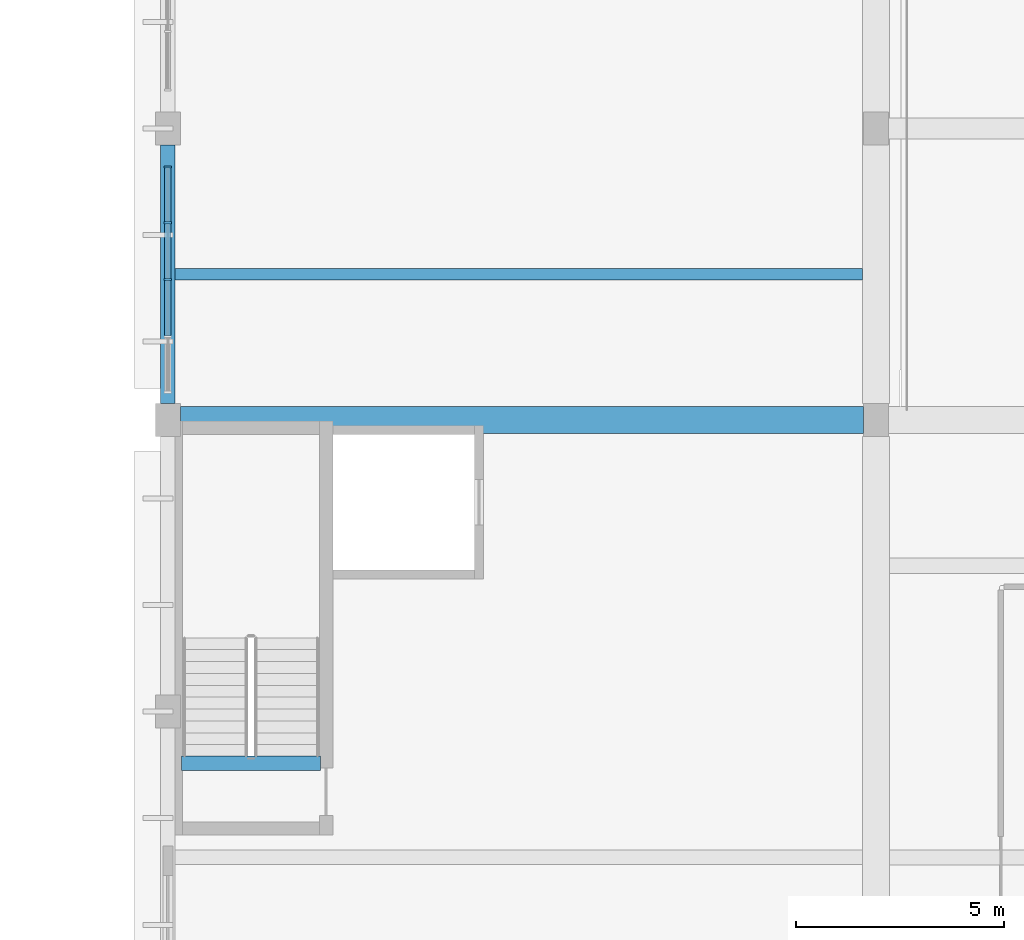
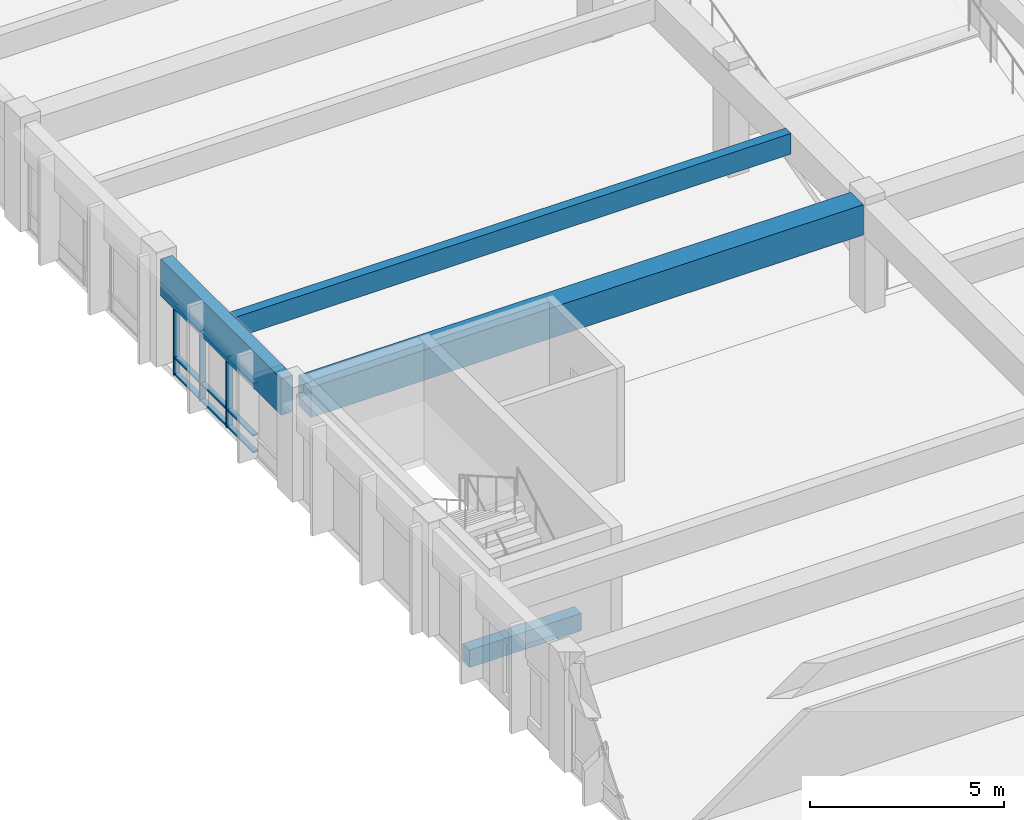
# One storey, part 16 of 155: 12 members, 4 beams, 1 element without a shape of its own.
"""IFC4 building model written with IfcOpenShell, lengths in metres."""

from ifc_helpers import new_model, si_unit, direction, frame, origin, origin_2d, place, context, subcontext, project, spatial, rectangle, extrude, material, material_profile, profile_set, type_object, element, aggregate, save


model = new_model("IFC4")

# Units and contexts
model_context = context("Model", 3, precision=1e-05, world=origin(), true_north=direction((0.0, 1.0)))
body_context = subcontext(model_context, "Body", "Model", "MODEL_VIEW")
ifc_project = project(units=[si_unit("LENGTHUNIT", "METRE"), si_unit("AREAUNIT", "SQUARE_METRE"), si_unit("VOLUMEUNIT", "CUBIC_METRE"), si_unit("PLANEANGLEUNIT", "RADIAN"), si_unit("MASSUNIT", "GRAM", prefix="KILO")], contexts=[model_context])

# Site, building, storey
site_placement = place(None, origin())
site = spatial("IfcSite", under=ifc_project, at=site_placement, CompositionType="ELEMENT")
building_placement = place(site_placement, origin())
building = spatial("IfcBuilding", under=site, at=building_placement, Name="Larkveld Mobility Hub", CompositionType="ELEMENT")
storey_placement = place(building_placement, frame((0.0, 0.0, 8.39990234375)))
storey = spatial("IfcBuildingStorey", under=building, at=storey_placement, Name="L02", CompositionType="ELEMENT", Elevation=8.39990234375)

# Beams
ifc_material_1 = material(Name="Precast concrete C50/60", Category="concrete")
ifc_material_profile_1 = material_profile(ifc_material_1, rectangle(XDim=0.280029296875, YDim=0.64990234375, at=origin_2d()), Name="PC DT 280x650")
ifc_profile_set_1 = profile_set([ifc_material_profile_1], Name="Precast concrete C50/60")
beam_type_1 = type_object("IfcBeamType", Name="BM-DT2865", PredefinedType="T_BEAM", material=ifc_profile_set_1)
beam_1_placement = place(storey_placement, frame((112.169921875, 59.5, 3.045166015625), z_axis=(1.0, 0.0, 0.0), x_axis=(0.0, 1.0, 0.0)))
element("IfcBeam", 1, at=beam_1_placement, inside=storey, type_object=beam_type_1, Name="Precast Double-Tee Stem L02-1089", PredefinedType="T_BEAM", context=body_context, shape_type="SweptSolid", body=[
    extrude(rectangle(XDim=0.280029296875, YDim=0.64990234375, at=origin_2d()), origin(), (0.0, 0.0, 1.0), 16.510009765625),
])
ifc_material_profile_2 = material_profile(ifc_material_1, rectangle(XDim=0.64990234375, YDim=0.949951171875, at=origin_2d()), Name="PC ITB 650x950")
ifc_profile_set_2 = profile_set([ifc_material_profile_2], Name="Precast concrete C50/60")
beam_type_2 = type_object("IfcBeamType", Name="BM-ITB6595", PredefinedType="T_BEAM", material=ifc_profile_set_2)
beam_2_placement = place(storey_placement, frame((112.300048828125, 56.0, 2.885009765625), z_axis=(1.0, 0.0, 0.0), x_axis=(0.0, 1.0, 0.0)))
element("IfcBeam", 2, at=beam_2_placement, inside=storey, type_object=beam_type_2, Name="Primary E-W Girder L02-0516", PredefinedType="T_BEAM", context=body_context, shape_type="SweptSolid", body=[
    extrude(rectangle(XDim=0.64990234375, YDim=0.949951171875, at=origin_2d()), origin(), (0.0, 0.0, 1.0), 16.39990234375),
])
ifc_material_2 = material(Name="Concrete C40/50", Category="concrete")
ifc_material_profile_3 = material_profile(ifc_material_2, rectangle(XDim=0.35009765625, YDim=0.550048828125, at=origin_2d()), Name="RC BM 350x550")
ifc_profile_set_3 = profile_set([ifc_material_profile_3], Name="Concrete C40/50")
beam_type_3 = type_object("IfcBeamType", Name="BM-RC3555", PredefinedType="BEAM", material=ifc_profile_set_3)
beam_3_placement = place(storey_placement, frame((112.330078125, 47.760009765625, -0.27001953125), z_axis=(1.0, 0.0, 0.0), x_axis=(0.0, 1.0, 0.0)))
element("IfcBeam", 3, at=beam_3_placement, inside=storey, type_object=beam_type_3, Name="Core C3 Stair Header Beam L02", PredefinedType="BEAM", context=body_context, shape_type="SweptSolid", body=[
    extrude(rectangle(XDim=0.35009765625, YDim=0.550048828125, at=origin_2d()), origin(), (0.0, 0.0, 1.0), 3.329833984375),
])
ifc_material_profile_4 = material_profile(ifc_material_1, rectangle(XDim=0.35009765625, YDim=1.14990234375, at=origin_2d()), Name="PC SP 350x1150")
ifc_profile_set_4 = profile_set([ifc_material_profile_4], Name="Precast concrete C50/60")
beam_type_4 = type_object("IfcBeamType", Name="BM-SP35115", PredefinedType="SPANDREL", material=ifc_profile_set_4)
beam_4_placement = place(storey_placement, frame((112.0, 56.39990234375, 2.78515625), z_axis=(0.0, 1.0, 0.0), x_axis=(-1.0, 0.0, 0.0)))
element("IfcBeam", 4, at=beam_4_placement, inside=storey, type_object=beam_type_4, Name="Primary N-S Girder L02-0630", PredefinedType="SPANDREL", context=body_context, shape_type="SweptSolid", body=[
    extrude(rectangle(XDim=0.35009765625, YDim=1.14990234375, at=origin_2d()), origin(), (0.0, 0.0, 1.0), 6.2001953125),
])

# Curtain wall, members
ifc_material_3 = material(Name="Anodised aluminium 6063-T6", Category="aluminium")
curtain_wall_type = type_object("IfcCurtainWallType", Name="CW-SYS-06", PredefinedType="NOTDEFINED", material=ifc_material_3)
curtain_wall_placement = place(storey_placement, origin())
curtain_wall = element("IfcCurtainWall", 5, at=curtain_wall_placement, inside=storey, type_object=curtain_wall_type, Name="EV Wing West Glazing L02 CW-138", PredefinedType="NOTDEFINED")
ifc_material_profile_5 = material_profile(ifc_material_3, rectangle(XDim=0.050048828125, YDim=0.179931640625, at=origin_2d()), Name="ALU MULL 50x180")
ifc_profile_set_5 = profile_set([ifc_material_profile_5], Name="Anodised aluminium 6063-T6")
member_type_1 = type_object("IfcMemberType", Name="CW-MUL-02", PredefinedType="MULLION", material=ifc_profile_set_5)
member_1_placement = place(storey_placement, frame((112.0, 62.074951171875, -0.001953125), z_axis=(0.0, 0.0, 1.0), x_axis=(0.0, -1.0, 0.0)))
member_1 = element("IfcMember", 6, at=member_1_placement, type_object=member_type_1, Name="CW06 mullion 1", PredefinedType="MULLION", context=body_context, shape_type="SweptSolid", body=[
    extrude(rectangle(XDim=0.050048828125, YDim=0.179931640625, at=origin_2d()), origin(), (0.0, 0.0, 1.0), 2.212158203125),
])
member_2_placement = place(storey_placement, frame((112.0, 60.735107421875, -0.001953125), z_axis=(0.0, 0.0, 1.0), x_axis=(0.0, -1.0, 0.0)))
member_2 = element("IfcMember", 7, at=member_2_placement, type_object=member_type_1, Name="CW06 mullion 2", PredefinedType="MULLION", context=body_context, shape_type="SweptSolid", body=[
    extrude(rectangle(XDim=0.050048828125, YDim=0.179931640625, at=origin_2d()), origin(), (0.0, 0.0, 1.0), 2.212158203125),
])
member_3_placement = place(storey_placement, frame((112.0, 59.3701171875, -0.001953125), z_axis=(0.0, 0.0, 1.0), x_axis=(0.0, -1.0, 0.0)))
member_3 = element("IfcMember", 8, at=member_3_placement, type_object=member_type_1, Name="CW06 mullion 3", PredefinedType="MULLION", context=body_context, shape_type="SweptSolid", body=[
    extrude(rectangle(XDim=0.050048828125, YDim=0.179931640625, at=origin_2d()), origin(), (0.0, 0.0, 1.0), 2.212158203125),
])
ifc_material_profile_6 = material_profile(ifc_material_3, rectangle(XDim=0.14990234375, YDim=0.050048828125, at=origin_2d()), Name="ALU TRAN 50x150")
ifc_profile_set_6 = profile_set([ifc_material_profile_6], Name="Anodised aluminium 6063-T6")
member_type_2 = type_object("IfcMemberType", Name="CW-TRN-02", PredefinedType="USERDEFINED", material=ifc_profile_set_6)
member_4_placement = place(storey_placement, frame((112.0, 62.06494140625, 0.030029296875), z_axis=(0.0, -1.0, 0.0), x_axis=(1.0, 0.0, 0.0)))
member_4 = element("IfcMember", 9, at=member_4_placement, type_object=member_type_2, Name="CW06 transom 1.1", ObjectType="TRANSOM", PredefinedType="USERDEFINED", context=body_context, shape_type="SweptSolid", body=[
    extrude(rectangle(XDim=0.14990234375, YDim=0.050048828125, at=origin_2d()), origin(), (0.0, 0.0, 1.0), 1.31494140625),
])
member_5_placement = place(storey_placement, frame((112.0, 62.06494140625, 0.552001953125), z_axis=(0.0, -1.0, 0.0), x_axis=(1.0, 0.0, 0.0)))
member_5 = element("IfcMember", 10, at=member_5_placement, type_object=member_type_2, Name="CW06 transom 1.2", ObjectType="TRANSOM", PredefinedType="USERDEFINED", context=body_context, shape_type="SweptSolid", body=[
    extrude(rectangle(XDim=0.14990234375, YDim=0.050048828125, at=origin_2d()), origin(), (0.0, 0.0, 1.0), 1.31494140625),
])
member_6_placement = place(storey_placement, frame((112.0, 62.06494140625, 2.177978515625), z_axis=(0.0, -1.0, 0.0), x_axis=(1.0, 0.0, 0.0)))
member_6 = element("IfcMember", 11, at=member_6_placement, type_object=member_type_2, Name="CW06 transom 1.3", ObjectType="TRANSOM", PredefinedType="USERDEFINED", context=body_context, shape_type="SweptSolid", body=[
    extrude(rectangle(XDim=0.14990234375, YDim=0.050048828125, at=origin_2d()), origin(), (0.0, 0.0, 1.0), 1.31494140625),
])
member_7_placement = place(storey_placement, frame((112.0, 60.719970703125, 0.030029296875), z_axis=(0.0, -1.0, 0.0), x_axis=(1.0, 0.0, 0.0)))
member_7 = element("IfcMember", 12, at=member_7_placement, type_object=member_type_2, Name="CW06 transom 2.1", ObjectType="TRANSOM", PredefinedType="USERDEFINED", context=body_context, shape_type="SweptSolid", body=[
    extrude(rectangle(XDim=0.14990234375, YDim=0.050048828125, at=origin_2d()), origin(), (0.0, 0.0, 1.0), 1.3349609375),
])
member_8_placement = place(storey_placement, frame((112.0, 60.719970703125, 0.552001953125), z_axis=(0.0, -1.0, 0.0), x_axis=(1.0, 0.0, 0.0)))
member_8 = element("IfcMember", 13, at=member_8_placement, type_object=member_type_2, Name="CW06 transom 2.2", ObjectType="TRANSOM", PredefinedType="USERDEFINED", context=body_context, shape_type="SweptSolid", body=[
    extrude(rectangle(XDim=0.14990234375, YDim=0.050048828125, at=origin_2d()), origin(), (0.0, 0.0, 1.0), 1.3349609375),
])
member_9_placement = place(storey_placement, frame((112.0, 60.719970703125, 2.177978515625), z_axis=(0.0, -1.0, 0.0), x_axis=(1.0, 0.0, 0.0)))
member_9 = element("IfcMember", 14, at=member_9_placement, type_object=member_type_2, Name="CW06 transom 2.3", ObjectType="TRANSOM", PredefinedType="USERDEFINED", context=body_context, shape_type="SweptSolid", body=[
    extrude(rectangle(XDim=0.14990234375, YDim=0.050048828125, at=origin_2d()), origin(), (0.0, 0.0, 1.0), 1.3349609375),
])
member_10_placement = place(storey_placement, frame((112.0, 59.35498046875, 0.030029296875), z_axis=(0.0, -1.0, 0.0), x_axis=(1.0, 0.0, 0.0)))
member_10 = element("IfcMember", 15, at=member_10_placement, type_object=member_type_2, Name="CW06 transom 3.1", ObjectType="TRANSOM", PredefinedType="USERDEFINED", context=body_context, shape_type="SweptSolid", body=[
    extrude(rectangle(XDim=0.14990234375, YDim=0.050048828125, at=origin_2d()), origin(), (0.0, 0.0, 1.0), 1.3349609375),
])
member_11_placement = place(storey_placement, frame((112.0, 59.35498046875, 0.552001953125), z_axis=(0.0, -1.0, 0.0), x_axis=(1.0, 0.0, 0.0)))
member_11 = element("IfcMember", 16, at=member_11_placement, type_object=member_type_2, Name="CW06 transom 3.2", ObjectType="TRANSOM", PredefinedType="USERDEFINED", context=body_context, shape_type="SweptSolid", body=[
    extrude(rectangle(XDim=0.14990234375, YDim=0.050048828125, at=origin_2d()), origin(), (0.0, 0.0, 1.0), 1.3349609375),
])
member_12_placement = place(storey_placement, frame((112.0, 59.35498046875, 2.177978515625), z_axis=(0.0, -1.0, 0.0), x_axis=(1.0, 0.0, 0.0)))
member_12 = element("IfcMember", 17, at=member_12_placement, type_object=member_type_2, Name="CW06 transom 3.3", ObjectType="TRANSOM", PredefinedType="USERDEFINED", context=body_context, shape_type="SweptSolid", body=[
    extrude(rectangle(XDim=0.14990234375, YDim=0.050048828125, at=origin_2d()), origin(), (0.0, 0.0, 1.0), 1.3349609375),
])
aggregate(curtain_wall, [member_1, member_2, member_3, member_4, member_5, member_6, member_7, member_8, member_9, member_10, member_11, member_12])

save(model, "model.ifc")
